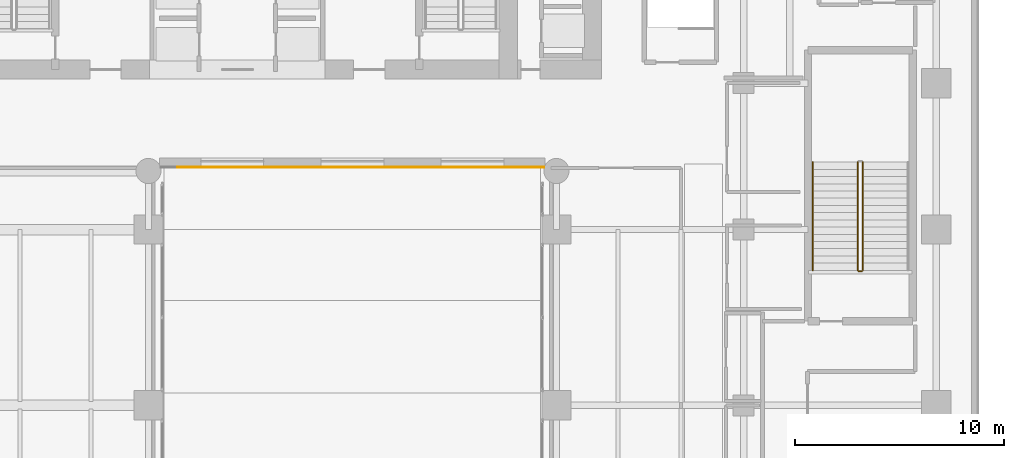
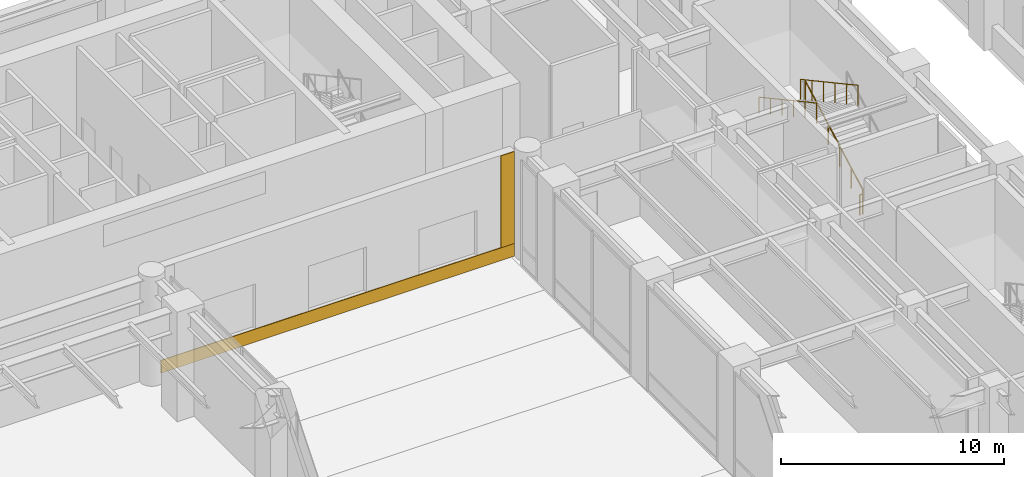
# One storey, part 22 of 28: 4 railings, 2 coverings.
"""IFC4 building model written with IfcOpenShell, lengths in metres."""

from ifc_helpers import new_model, si_unit, direction, frame, origin, origin_2d, place, context, subcontext, project, spatial, polyline, circle, outline, extrude, material, layer, layer_set, type_object, element, save


model = new_model("IFC4")

# Units and contexts
model_context = context("Model", 3, precision=1e-05, world=origin(), true_north=direction((0.0, 1.0)))
body_context = subcontext(model_context, "Body", "Model", "MODEL_VIEW")
ifc_project = project(units=[si_unit("LENGTHUNIT", "METRE"), si_unit("AREAUNIT", "SQUARE_METRE"), si_unit("VOLUMEUNIT", "CUBIC_METRE"), si_unit("PLANEANGLEUNIT", "RADIAN"), si_unit("MASSUNIT", "GRAM", prefix="KILO")], contexts=[model_context])

# Site, building, storey
site_placement = place(None, origin())
site = spatial("IfcSite", under=ifc_project, at=site_placement, CompositionType="ELEMENT")
building_placement = place(site_placement, origin())
building = spatial("IfcBuilding", under=site, at=building_placement, Name="Tolvann Quenvar Hotel", CompositionType="ELEMENT")
storey_placement = place(building_placement, origin())
storey = spatial("IfcBuildingStorey", under=building, at=storey_placement, Name="L00", CompositionType="ELEMENT", Elevation=0.0)

# Coverings
ifc_material_1 = material(Name="Kiln-fired red architectural face brick cladding", Category="masonry")
ifc_layer_1 = layer(ifc_material_1, 0.0400390625)
ifc_layer_set_1 = layer_set([ifc_layer_1], Name="Kiln-fired red architectural face brick cladding")
covering_type_1 = type_object("IfcCoveringType", Name="COV_CLAD_BRICK_40", PredefinedType="CLADDING", material=ifc_layer_set_1)
covering_1_placement = place(storey_placement, frame((0.0, 0.0, 0.699951171875)))
element("IfcCovering", 1, at=covering_1_placement, inside=storey, type_object=covering_type_1, Name="Brick Pier Cladding (L00-E02-P2)", PredefinedType="CLADDING", context=body_context, shape_type="SweptSolid", body=[
    extrude(outline(polyline([(36.9599609375, 27.39990234375), (37.659912109375, 27.39990234375), (37.659912109375, 27.360107421875), (36.9599609375, 27.360107421875), (36.9599609375, 27.39990234375)])), origin(), (0.0, 0.0, 1.0), 5.0400390625),
])
ifc_material_2 = material(Name="Moulded buff architectural terracotta spandrel cladding", Category="masonry")
ifc_layer_2 = layer(ifc_material_2, 0.0400390625)
ifc_layer_set_2 = layer_set([ifc_layer_2], Name="Moulded buff architectural terracotta spandrel cladding")
covering_type_2 = type_object("IfcCoveringType", Name="COV_CLAD_TERRA_40", PredefinedType="CLADDING", material=ifc_layer_set_2)
covering_2_placement = place(storey_placement, origin())
element("IfcCovering", 2, at=covering_2_placement, inside=storey, type_object=covering_type_2, Name="Terracotta Spandrel Cladding (L00-E02)", PredefinedType="CLADDING", context=body_context, shape_type="SweptSolid", body=[
    extrude(outline(polyline([(19.330078125, 27.39990234375), (37.669921875, 27.39990234375), (37.669921875, 27.360107421875), (19.330078125, 27.360107421875), (19.330078125, 27.39990234375)])), origin(), (0.0, 0.0, 1.0), 0.699951171875),
])

# Railings
ifc_material_3 = material(Name="Brushed 316 stainless steel balustrade and handrail", Category="steel")
railing_type_1 = type_object("IfcRailingType", Name="GUARDRAIL", PredefinedType="GUARDRAIL", material=ifc_material_3)
railing_1_placement = place(storey_placement, frame((52.89990234375, 22.449951171875, 0.1875)))
element("IfcRailing", 3, at=railing_1_placement, inside=storey, type_object=railing_type_1, Name="L00 ST-P4 stair guard 1", PredefinedType="GUARDRAIL", context=body_context, shape_type="SweptSolid", body=[
    extrude(circle(Radius=0.02392578125, at=origin_2d()), frame((0.0, 0.0, 1.09619140625), z_axis=(0.0, 0.878626399866, 0.477509842263), x_axis=(-1.0, 0.0, 0.0)), (0.0, 0.0, 1.0), 5.889892578125),
    extrude(circle(Radius=0.02099609375, at=origin_2d()), origin(), (0.0, 0.0, 1.0), 1.072021484375),
    extrude(circle(Radius=0.02099609375, at=origin_2d()), frame((0.0, 1.034912109375, 0.5625)), (0.0, 0.0, 1.0), 1.072021484375),
    extrude(circle(Radius=0.02099609375, at=origin_2d()), frame((0.0, 2.070068359375, 1.125)), (0.0, 0.0, 1.0), 1.072021484375),
    extrude(circle(Radius=0.02099609375, at=origin_2d()), frame((0.0, 3.10498046875, 1.6875)), (0.0, 0.0, 1.0), 1.072021484375),
    extrude(circle(Radius=0.02099609375, at=origin_2d()), frame((0.0, 4.14013671875, 2.25)), (0.0, 0.0, 1.0), 1.072021484375),
    extrude(circle(Radius=0.02099609375, at=origin_2d()), frame((0.0, 5.175048828125, 2.8125)), (0.0, 0.0, 1.0), 1.072021484375),
])
railing_2_placement = place(storey_placement, frame((52.64990234375, 27.625, 3.1875)))
element("IfcRailing", 4, at=railing_2_placement, inside=storey, type_object=railing_type_1, Name="L00 ST-P4 stair guard 3", PredefinedType="GUARDRAIL", context=body_context, shape_type="SweptSolid", body=[
    extrude(circle(Radius=0.02392578125, at=origin_2d()), frame((0.0, 0.0, 1.09619140625), z_axis=(0.0, -0.878626399866, 0.477509842263), x_axis=(1.0, 0.0, 0.0)), (0.0, 0.0, 1.0), 5.889892578125),
    extrude(circle(Radius=0.02099609375, at=origin_2d()), origin(), (0.0, 0.0, 1.0), 1.072021484375),
    extrude(circle(Radius=0.02099609375, at=origin_2d()), frame((0.0, -1.034912109375, 0.5625)), (0.0, 0.0, 1.0), 1.072021484375),
    extrude(circle(Radius=0.02099609375, at=origin_2d()), frame((0.0, -2.070068359375, 1.125)), (0.0, 0.0, 1.0), 1.072021484375),
    extrude(circle(Radius=0.02099609375, at=origin_2d()), frame((0.0, -3.10498046875, 1.6875)), (0.0, 0.0, 1.0), 1.072021484375),
    extrude(circle(Radius=0.02099609375, at=origin_2d()), frame((0.0, -4.14013671875, 2.25)), (0.0, 0.0, 1.0), 1.072021484375),
    extrude(circle(Radius=0.02099609375, at=origin_2d()), frame((0.0, -5.175048828125, 2.8125)), (0.0, 0.0, 1.0), 1.072021484375),
])
railing_3_placement = place(storey_placement, frame((52.85009765625, 22.39990234375, 0.0)))
element("IfcRailing", 5, at=railing_3_placement, inside=storey, type_object=railing_type_1, Name="L00 ST-P4 stair guard 4", PredefinedType="GUARDRAIL", context=body_context, shape_type="SweptSolid", body=[
    extrude(circle(Radius=0.02392578125, at=origin_2d()), frame((0.0, 0.0, 1.09619140625), z_axis=(-1.0, 0.0, 0.0), x_axis=(0.0, -1.0, 0.0)), (0.0, 0.0, 1.0), 0.150146484375),
    extrude(circle(Radius=0.02099609375, at=origin_2d()), origin(), (0.0, 0.0, 1.0), 1.072021484375),
    extrude(circle(Radius=0.02099609375, at=origin_2d()), frame((-0.150146484375, 0.0, 0.0)), (0.0, 0.0, 1.0), 1.072021484375),
])
railing_type_2 = type_object("IfcRailingType", Name="HANDRAIL", PredefinedType="HANDRAIL", material=ifc_material_3)
railing_4_placement = place(storey_placement, frame((50.5, 27.625, 3.1875)))
element("IfcRailing", 6, at=railing_4_placement, inside=storey, type_object=railing_type_2, Name="L00 ST-P4 stair handrail 2", PredefinedType="HANDRAIL", context=body_context, shape_type="SweptSolid", body=[
    extrude(circle(Radius=0.02392578125, at=origin_2d()), frame((0.0, 0.0, 0.8759765625), z_axis=(0.0, -0.878626399866, 0.477509842263), x_axis=(1.0, 0.0, 0.0)), (0.0, 0.0, 1.0), 5.889892578125),
    extrude(circle(Radius=0.02099609375, at=origin_2d()), origin(), (0.0, 0.0, 1.0), 0.851806640625),
    extrude(circle(Radius=0.02099609375, at=origin_2d()), frame((0.0, -1.034912109375, 0.5625)), (0.0, 0.0, 1.0), 0.851806640625),
    extrude(circle(Radius=0.02099609375, at=origin_2d()), frame((0.0, -2.070068359375, 1.125)), (0.0, 0.0, 1.0), 0.851806640625),
    extrude(circle(Radius=0.02099609375, at=origin_2d()), frame((0.0, -3.10498046875, 1.6875)), (0.0, 0.0, 1.0), 0.851806640625),
    extrude(circle(Radius=0.02099609375, at=origin_2d()), frame((0.0, -4.14013671875, 2.25)), (0.0, 0.0, 1.0), 0.851806640625),
    extrude(circle(Radius=0.02099609375, at=origin_2d()), frame((0.0, -5.175048828125, 2.8125)), (0.0, 0.0, 1.0), 0.851806640625),
])

save(model, "model.ifc")
